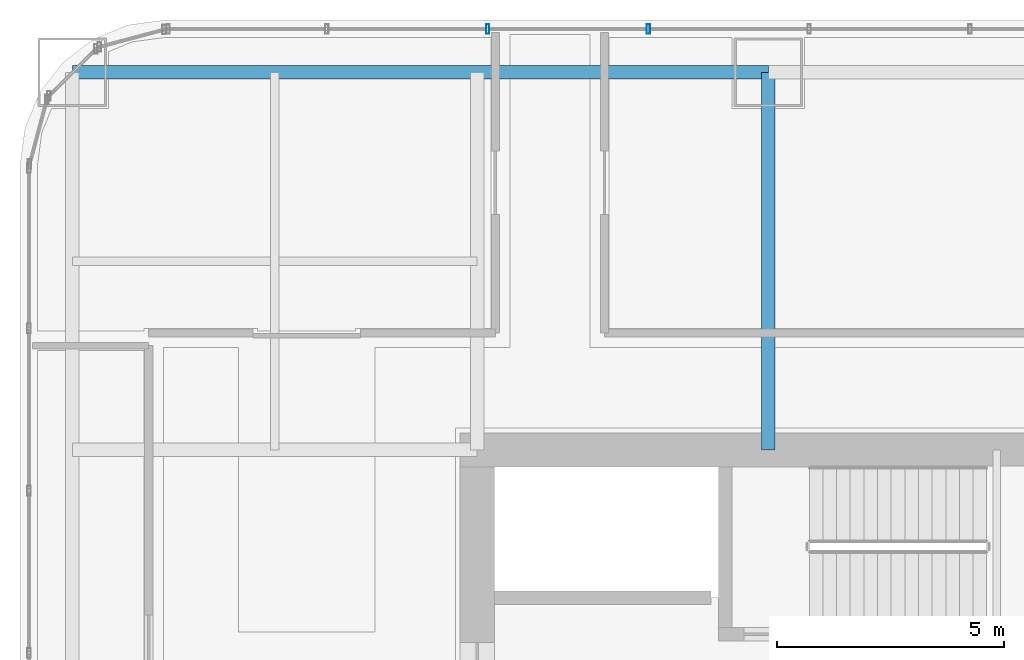
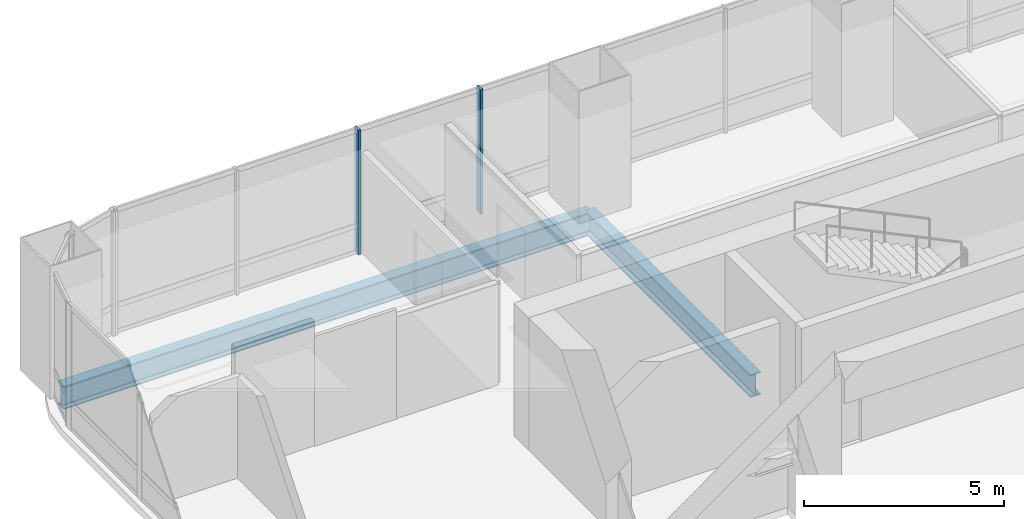
# One storey, part 19 of 35: 2 beams, 2 members, 1 element without a shape of its own.
"""IFC4 building model written with IfcOpenShell, lengths in metres."""

from ifc_helpers import new_model, si_unit, direction, frame, origin, origin_2d, place, context, subcontext, project, spatial, hollow_rectangle, i_section, extrude, material, material_profile, profile_set, type_object, element, aggregate, save


model = new_model("IFC4")

# Units and contexts
model_context = context("Model", 3, precision=1e-05, world=origin(), true_north=direction((0.0, 1.0)))
body_context = subcontext(model_context, "Body", "Model", "MODEL_VIEW")
ifc_project = project(units=[si_unit("LENGTHUNIT", "METRE"), si_unit("AREAUNIT", "SQUARE_METRE"), si_unit("VOLUMEUNIT", "CUBIC_METRE"), si_unit("PLANEANGLEUNIT", "RADIAN"), si_unit("MASSUNIT", "GRAM", prefix="KILO")], contexts=[model_context])

# Site, building, storey
site_placement = place(None, origin())
site = spatial("IfcSite", under=ifc_project, at=site_placement, CompositionType="ELEMENT")
building_placement = place(site_placement, origin())
building = spatial("IfcBuilding", under=site, at=building_placement, Name="Punatoya Terracotta Tower", CompositionType="ELEMENT")
storey_placement = place(building_placement, frame((0.0, 0.0, 64.64990234375)))
storey = spatial("IfcBuildingStorey", under=building, at=storey_placement, Name="L14", CompositionType="ELEMENT", Elevation=64.64990234375)

# Beams
ifc_material_1 = material(Name="Steel S355", Category="steel")
ifc_material_profile_1 = material_profile(ifc_material_1, i_section(OverallWidth=0.300048828125, OverallDepth=0.699951171875, WebThickness=0.01708984375, FlangeThickness=0.031982421875, FilletRadius=0.01806640625, at=origin_2d()))
ifc_profile_set_1 = profile_set([ifc_material_profile_1], Name="Steel S355")
beam_type = type_object("IfcBeamType", Name="BM-PRI-700", PredefinedType="BEAM", material=ifc_profile_set_1)
beam_1_placement = place(storey_placement, frame((-19.10009765625, 17.5, -0.58984375), z_axis=(1.0, 0.0, 0.0), x_axis=(0.0, 1.0, 0.0)))
element("IfcBeam", 1, at=beam_1_placement, inside=storey, type_object=beam_type, Name="BM-L14-RG-N1", PredefinedType="BEAM", context=body_context, shape_type="SweptSolid", body=[
    extrude(i_section(OverallWidth=0.300048828125, OverallDepth=0.699951171875, WebThickness=0.01708984375, FlangeThickness=0.031982421875, FilletRadius=0.01806640625, at=origin_2d()), origin(), (0.0, 0.0, 1.0), 15.300048828125),
])
beam_2_placement = place(storey_placement, frame((-3.800048828125, 9.199951171875, -0.58984375), z_axis=(0.0, 1.0, 0.0), x_axis=(-1.0, 0.0, 0.0)))
element("IfcBeam", 2, at=beam_2_placement, inside=storey, type_object=beam_type, Name="BM-L14-PR-N2", PredefinedType="BEAM", context=body_context, shape_type="SweptSolid", body=[
    extrude(i_section(OverallWidth=0.300048828125, OverallDepth=0.699951171875, WebThickness=0.01708984375, FlangeThickness=0.031982421875, FilletRadius=0.01806640625, at=origin_2d()), origin(), (0.0, 0.0, 1.0), 8.300048828125),
])

# Curtain wall, members
ifc_material_2 = material(Name="Aluminium 6063-T6 + Double Low-E Glass", Category="aluminium")
curtain_wall_type = type_object("IfcCurtainWallType", Name="CW-M1", PredefinedType="NOTDEFINED", material=ifc_material_2)
curtain_wall_placement = place(storey_placement, origin())
curtain_wall = element("IfcCurtainWall", 3, at=curtain_wall_placement, inside=storey, type_object=curtain_wall_type, Name="L14 Curtain Wall CW-L14-N09-1", PredefinedType="NOTDEFINED")
ifc_material_3 = material(Name="Aluminium 6063-T6", Category="aluminium")
ifc_material_profile_2 = material_profile(ifc_material_3, hollow_rectangle(XDim=0.074951171875, YDim=0.2099609375, WallThickness=0.00439453125, at=origin_2d()))
ifc_profile_set_2 = profile_set([ifc_material_profile_2], Name="Aluminium 6063-T6")
member_type = type_object("IfcMemberType", Name="CW-MUL-M1", PredefinedType="MULLION", material=ifc_profile_set_2)
member_1_placement = place(storey_placement, frame((-6.43505859375, 18.449951171875, 0.0), z_axis=(0.0, 0.0, 1.0), x_axis=(1.0, 0.0, 0.0)))
member_1 = element("IfcMember", 4, at=member_1_placement, type_object=member_type, Name="CW-L14-N09-1 Mullion 08", PredefinedType="MULLION", context=body_context, shape_type="SweptSolid", body=[
    extrude(hollow_rectangle(XDim=0.074951171875, YDim=0.2099609375, WallThickness=0.00439453125, at=origin_2d()), origin(), (0.0, 0.0, 1.0), 3.81005859375),
])
member_2_placement = place(storey_placement, frame((-9.968994140625, 18.449951171875, 0.0), z_axis=(0.0, 0.0, 1.0), x_axis=(1.0, 0.0, 0.0)))
member_2 = element("IfcMember", 5, at=member_2_placement, type_object=member_type, Name="CW-L14-N09-1 Mullion 09", PredefinedType="MULLION", context=body_context, shape_type="SweptSolid", body=[
    extrude(hollow_rectangle(XDim=0.074951171875, YDim=0.2099609375, WallThickness=0.00439453125, at=origin_2d()), origin(), (0.0, 0.0, 1.0), 3.81005859375),
])
aggregate(curtain_wall, [member_1, member_2])

save(model, "model.ifc")
